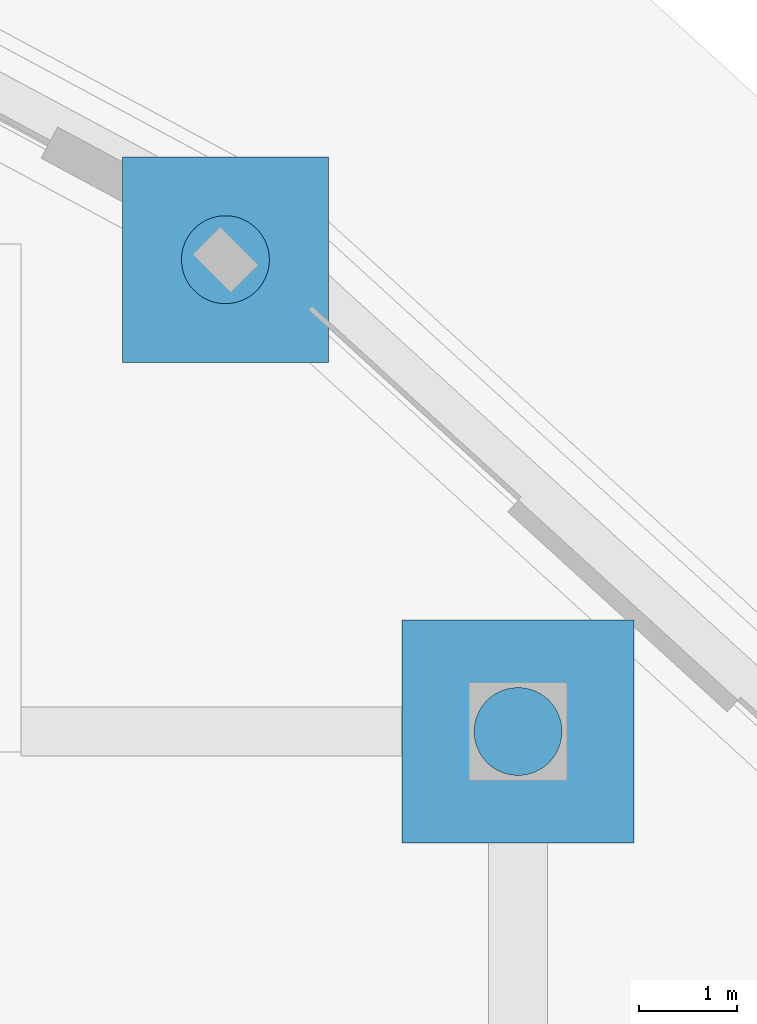
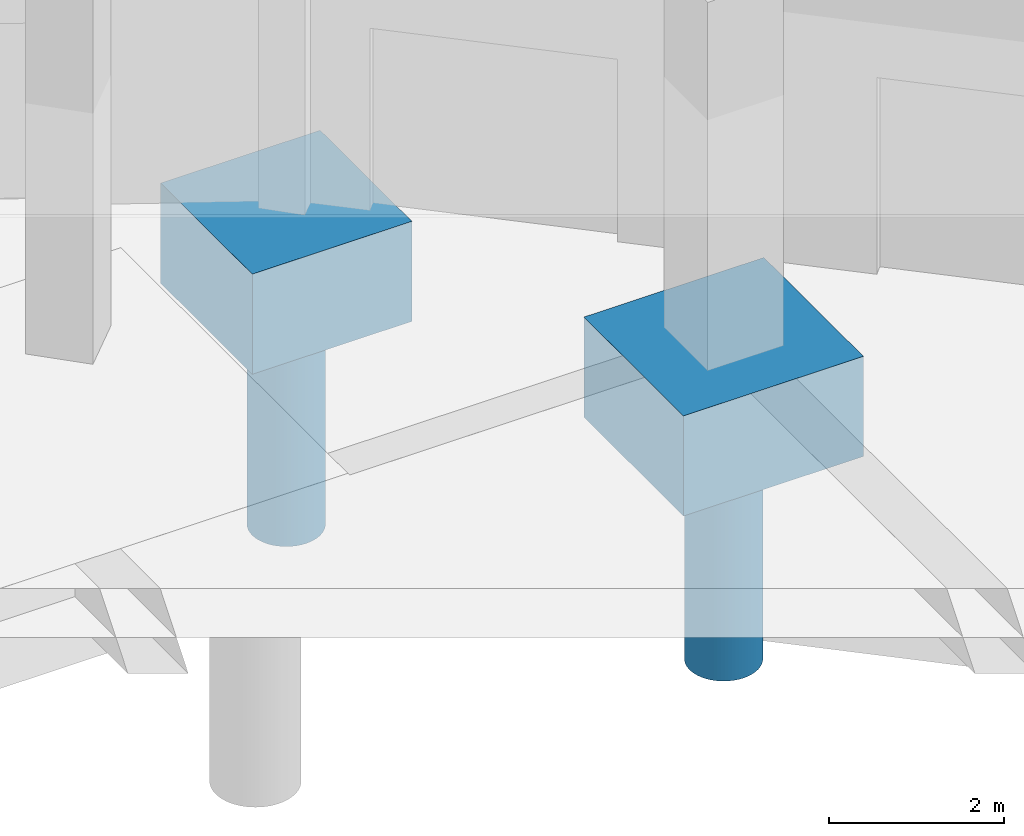
# One storey, part 9 of 93: 2 footings, 2 piles.
"""IFC4 building model written with IfcOpenShell, lengths in metres."""

from ifc_helpers import new_model, si_unit, direction, frame, origin, origin_2d, place, context, subcontext, project, spatial, rectangle, circle, extrude, material, material_profile, profile_set, type_object, element, save


model = new_model("IFC4")

# Units and contexts
model_context = context("Model", 3, precision=1e-05, world=origin(), true_north=direction((0.0, 1.0)))
body_context = subcontext(model_context, "Body", "Model", "MODEL_VIEW")
ifc_project = project(units=[si_unit("LENGTHUNIT", "METRE"), si_unit("AREAUNIT", "SQUARE_METRE"), si_unit("VOLUMEUNIT", "CUBIC_METRE"), si_unit("PLANEANGLEUNIT", "RADIAN"), si_unit("MASSUNIT", "GRAM", prefix="KILO")], contexts=[model_context])

# Site, building, storey
site_placement = place(None, origin())
site = spatial("IfcSite", under=ifc_project, at=site_placement, CompositionType="ELEMENT")
building_placement = place(site_placement, origin())
building = spatial("IfcBuilding", under=site, at=building_placement, Name="Kalgoora Escarpment Arena", CompositionType="ELEMENT")
storey_placement = place(building_placement, origin())
storey = spatial("IfcBuildingStorey", under=building, at=storey_placement, Name="L00", CompositionType="ELEMENT", Elevation=0.0)

# Footings
ifc_material_1 = material(Name="Concrete N40 (fc' 40 MPa)", Category="concrete")
footing_type_1 = type_object("IfcFootingType", Name="FTG-PC-211x210", PredefinedType="PILE_CAP", material=ifc_material_1)
footing_1_placement = place(storey_placement, frame((156.60498046875, 108.830078125, -1.39990234375), z_axis=(0.0, 0.0, 1.0), x_axis=(1.0, 0.0, 0.0)))
element("IfcFooting", 1, at=footing_1_placement, inside=storey, type_object=footing_type_1, Name="Pile cap FND-PIL-025", PredefinedType="PILE_CAP", context=body_context, shape_type="SweptSolid", body=[
    extrude(rectangle(XDim=2.110107421875, YDim=2.10009765625, at=origin_2d()), origin(), (0.0, 0.0, 1.0), 1.39990234375),
])
ifc_material_2 = material(Name="Concrete N40 (fc' 40 MPa)", Category="concrete")
footing_type_2 = type_object("IfcFootingType", Name="FTG-PC-238x228", PredefinedType="PILE_CAP", material=ifc_material_2)
footing_2_placement = place(storey_placement, frame((159.60009765625, 104.0, -1.39990234375), z_axis=(0.0, 0.0, 1.0), x_axis=(1.0, 0.0, 0.0)))
element("IfcFooting", 2, at=footing_2_placement, inside=storey, type_object=footing_type_2, Name="Pile cap FND-COL-G20-P", PredefinedType="PILE_CAP", context=body_context, shape_type="SweptSolid", body=[
    extrude(rectangle(XDim=2.3798828125, YDim=2.280029296875, at=origin_2d()), origin(), (0.0, 0.0, 1.0), 1.39990234375),
])

# Piles
ifc_material_3 = material(Name="Concrete N50 (fc' 50 MPa)", Category="concrete")
ifc_material_profile = material_profile(ifc_material_3, circle(Radius=0.449951171875, at=origin_2d()))
ifc_profile_set = profile_set([ifc_material_profile], Name="Concrete N50 (fc' 50 MPa)")
pile_type = type_object("IfcPileType", Name="PIL-PILE-900", PredefinedType="BORED", material=ifc_profile_set)
for number, where, z_axis, x_axis, name in (
    (3, (159.60009765625, 104.0, -1.300048828125), (0.0, 0.0, -1.0), (1.0, 0.0, 0.0), "Bored pile FND-COL-G20-P P01"),
    (4, (156.60498046875, 108.830078125, -1.300048828125), (0.0, 0.0, -1.0), (1.0, 0.0, 0.0), "Bored pile FND-PIL-025 P01"),
):
    element("IfcPile", number, at=place(storey_placement, frame(where, z_axis=z_axis, x_axis=x_axis)), inside=storey, type_object=pile_type, Name=name, PredefinedType="BORED", context=body_context, shape_type="SweptSolid", body=[
        extrude(circle(Radius=0.449951171875, at=origin_2d()), origin(), (0.0, 0.0, 1.0), 3.199951171875),
    ])

save(model, "model.ifc")
